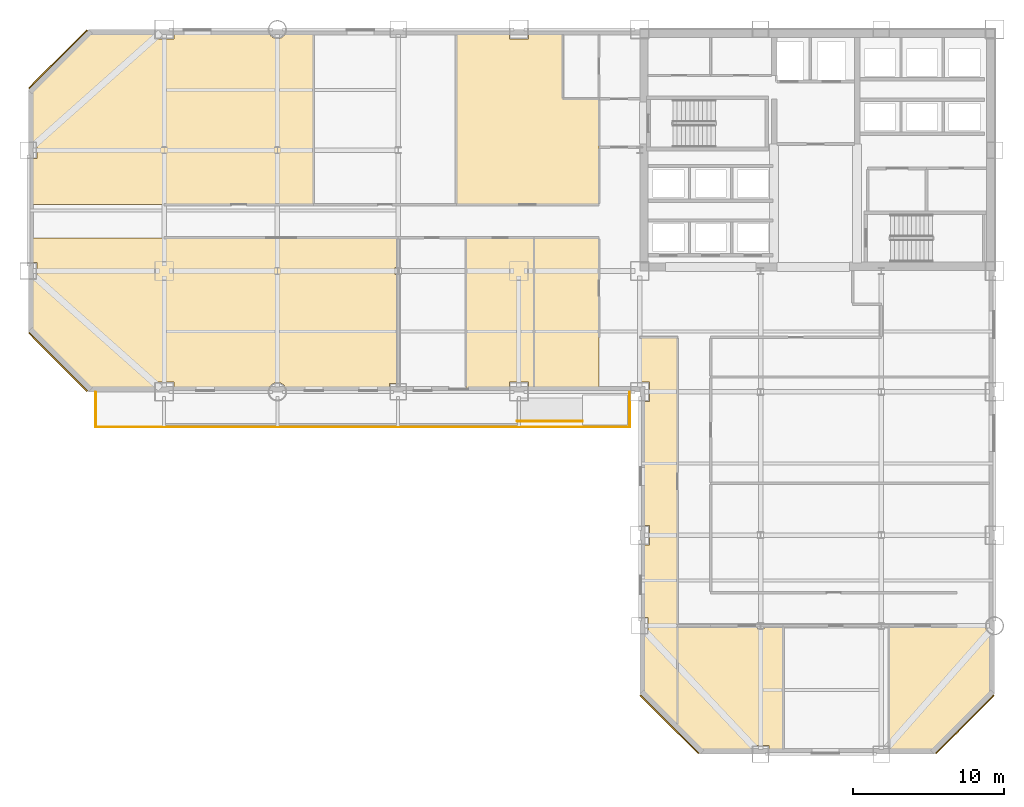
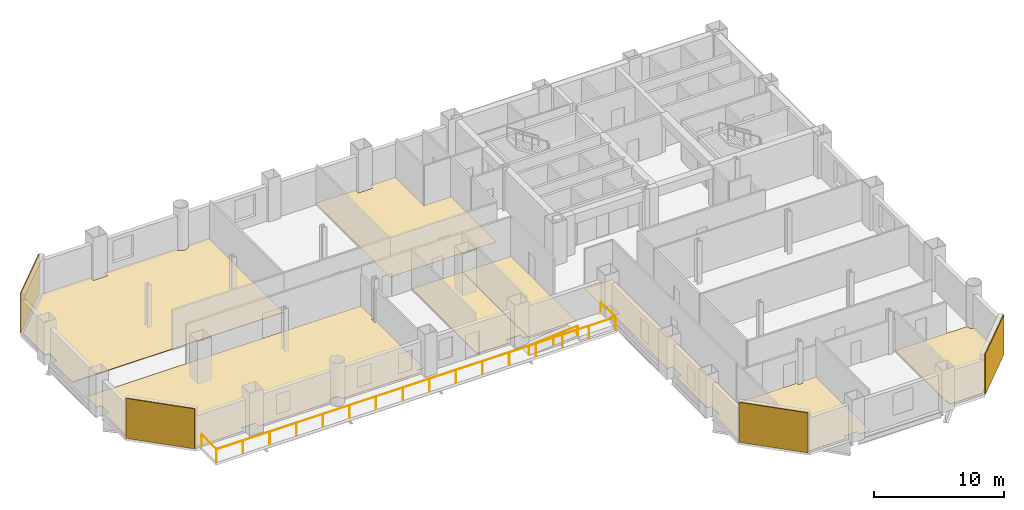
# One storey, part 8 of 9: 12 coverings, 2 railings.
"""IFC4 building model written with IfcOpenShell, lengths in metres."""

from ifc_helpers import new_model, si_unit, direction, frame, origin, origin_2d, place, context, subcontext, project, spatial, polyline, rectangle, circle, outline, extrude, material, layer, layer_set, type_object, element, save


model = new_model("IFC4")

# Units and contexts
model_context = context("Model", 3, precision=1e-05, world=origin(), true_north=direction((0.0, 1.0)))
body_context = subcontext(model_context, "Body", "Model", "MODEL_VIEW")
ifc_project = project(units=[si_unit("LENGTHUNIT", "METRE"), si_unit("AREAUNIT", "SQUARE_METRE"), si_unit("VOLUMEUNIT", "CUBIC_METRE"), si_unit("PLANEANGLEUNIT", "RADIAN"), si_unit("MASSUNIT", "GRAM", prefix="KILO")], contexts=[model_context])

# Site, building, storey
site_placement = place(None, origin())
site = spatial("IfcSite", under=ifc_project, at=site_placement, CompositionType="ELEMENT")
building_placement = place(site_placement, origin())
building = spatial("IfcBuilding", under=site, at=building_placement, Name="Qianrong Seaharbour Tower", CompositionType="ELEMENT")
storey_placement = place(building_placement, frame((0.0, 0.0, 100.199951171875)))
storey = spatial("IfcBuildingStorey", under=building, at=storey_placement, Name="L24", CompositionType="ELEMENT", Elevation=100.199951171875)

# Coverings
ifc_material_1 = material(Name="Unitised red brick cladding on Precast concrete C45/55", Category="masonry")
ifc_layer_1 = layer(ifc_material_1, 0.080078125)
ifc_layer_set_1 = layer_set([ifc_layer_1], Name="Unitised red brick cladding on Precast concrete C45/55")
covering_type_1 = type_object("IfcCoveringType", Name="COV-CLAD-RED-BRICK-80", PredefinedType="CLADDING", material=ifc_layer_set_1)
for number, where, z_axis, x_axis, name in (
    (1, (1.9716796875, 29.9716796875, 0.0), (0.0, 0.0, 1.0), (-0.707106781187, 0.707106781187, 0.0), "L24 Chamfer Corner Brick Cladding 02"),
    (2, (1.9716796875, 50.0283203125, 0.0), (0.0, 0.0, 1.0), (0.707106781187, 0.707106781187, 0.0), "L24 Chamfer Corner Brick Cladding 04"),
    (3, (62.0283203125, 5.9716796875, 0.0), (0.0, 0.0, 1.0), (-0.707106781187, -0.707106781187, 0.0), "L24 Chamfer Corner Brick Cladding 07"),
    (4, (42.4716796875, 5.9716796875, 0.0), (0.0, 0.0, 1.0), (-0.707106781187, 0.707106781187, 0.0), "L24 Chamfer Corner Brick Cladding 09"),
):
    element("IfcCovering", number, at=place(storey_placement, frame(where, z_axis=z_axis, x_axis=x_axis)), inside=storey, type_object=covering_type_1, Name=name, PredefinedType="CLADDING", context=body_context, shape_type="SweptSolid", body=[
        extrude(rectangle(XDim=5.456787109375, YDim=0.080078125, at=origin_2d()), origin(), (0.0, 0.0, 1.0), 3.75),
    ])
ifc_material_2 = material(Name="Acoustic modular carpet tile flooring")
ifc_layer_2 = layer(ifc_material_2, 0.02001953125)
ifc_layer_set_2 = layer_set([ifc_layer_2], Name="Acoustic modular carpet tile flooring")
covering_type_2 = type_object("IfcCoveringType", Name="COV-FLOOR-CARPET-20", PredefinedType="FLOORING", material=ifc_layer_set_2)
covering_1_placement = place(storey_placement, origin())
element("IfcCovering", 5, at=covering_1_placement, inside=storey, type_object=covering_type_2, Name="L24 Boardroom 2 Finish Flooring", PredefinedType="FLOORING", context=body_context, shape_type="SweptSolid", body=[
    extrude(outline(polyline([(28.35009765625, 51.824951171875), (31.864990234375, 51.824951171875), (31.864990234375, 51.364990234375), (33.135009765625, 51.364990234375), (33.135009765625, 51.824951171875), (35.39990234375, 51.824951171875), (35.39990234375, 47.39990234375), (37.800048828125, 47.39990234375), (37.800048828125, 40.39990234375), (28.35009765625, 40.39990234375), (28.35009765625, 51.824951171875)])), origin(), (0.0, 0.0, 1.0), 0.02001953125),
])
covering_2_placement = place(storey_placement, origin())
element("IfcCovering", 6, at=covering_2_placement, inside=storey, type_object=covering_type_2, Name="L24 Maritime Tribunal Hearing Hall Finish Flooring", PredefinedType="FLOORING", context=body_context, shape_type="SweptSolid", body=[
    extrude(outline(polyline([(17.081298828125, 28.175048828125), (17.063720703125, 28.2333984375), (17.007080078125, 28.3388671875), (16.931396484375, 28.431396484375), (16.8388671875, 28.507080078125), (16.7333984375, 28.563720703125), (16.618896484375, 28.598388671875), (16.5, 28.610107421875), (16.381103515625, 28.598388671875), (16.2666015625, 28.563720703125), (16.1611328125, 28.507080078125), (16.068603515625, 28.431396484375), (15.992919921875, 28.3388671875), (15.936279296875, 28.2333984375), (15.918701171875, 28.175048828125), (9.635009765625, 28.175048828125), (9.635009765625, 28.635009765625), (8.364990234375, 28.635009765625), (8.364990234375, 28.175048828125), (4.072509765625, 28.175048828125), (0.175048828125, 32.072509765625), (0.175048828125, 35.43994140625), (0.56005859375, 35.43994140625), (0.56005859375, 36.56005859375), (0.175048828125, 36.56005859375), (0.175048828125, 38.199951171875), (24.5, 38.199951171875), (24.5, 36.22412109375), (24.28662109375, 36.22412109375), (24.28662109375, 35.77587890625), (24.5, 35.77587890625), (24.5, 28.56005859375), (23.93994140625, 28.56005859375), (23.93994140625, 28.175048828125), (17.081298828125, 28.175048828125)])), origin(), (0.0, 0.0, 1.0), 0.02001953125),
])
covering_3_placement = place(storey_placement, origin())
element("IfcCovering", 7, at=covering_3_placement, inside=storey, type_object=covering_type_2, Name="L24 Focus Room 3 Finish Flooring", PredefinedType="FLOORING", context=body_context, shape_type="SweptSolid", body=[
    extrude(outline(polyline([(37.800048828125, 28.175048828125), (33.5, 28.175048828125), (33.5, 38.199951171875), (37.800048828125, 38.199951171875), (37.800048828125, 28.175048828125)])), origin(), (0.0, 0.0, 1.0), 0.02001953125),
])
covering_4_placement = place(storey_placement, origin())
element("IfcCovering", 8, at=covering_4_placement, inside=storey, type_object=covering_type_2, Name="L24 Wet Pantry Finish Flooring", PredefinedType="FLOORING", context=body_context, shape_type="SweptSolid", body=[
    extrude(outline(polyline([(43.0, 5.74755859375), (40.675048828125, 8.072509765625), (40.675048828125, 11.93994140625), (41.06005859375, 11.93994140625), (41.06005859375, 13.06005859375), (40.675048828125, 13.06005859375), (40.675048828125, 17.864990234375), (41.135009765625, 17.864990234375), (41.135009765625, 19.135009765625), (40.675048828125, 19.135009765625), (40.675048828125, 27.364990234375), (41.135009765625, 27.364990234375), (41.135009765625, 28.635009765625), (40.5, 28.635009765625), (40.5, 31.60009765625), (43.0, 31.60009765625), (43.0, 5.74755859375)])), origin(), (0.0, 0.0, 1.0), 0.02001953125),
])
covering_5_placement = place(storey_placement, origin())
element("IfcCovering", 9, at=covering_5_placement, inside=storey, type_object=covering_type_2, Name="L24 Mediation Meeting Room 1 Finish Flooring", PredefinedType="FLOORING", context=body_context, shape_type="SweptSolid", body=[
    extrude(outline(polyline([(50.0, 4.175048828125), (49.06005859375, 4.175048828125), (49.06005859375, 4.56005859375), (47.93994140625, 4.56005859375), (47.93994140625, 4.175048828125), (44.572509765625, 4.175048828125), (43.0, 5.74755859375), (43.0, 12.5), (48.28662109375, 12.5), (48.28662109375, 12.27587890625), (48.71337890625, 12.27587890625), (48.71337890625, 12.5), (50.0, 12.5), (50.0, 4.175048828125)])), origin(), (0.0, 0.0, 1.0), 0.02001953125),
])
ifc_material_3 = material(Name="Calcium-sulphate raised access floor tile")
ifc_layer_3 = layer(ifc_material_3, 0.044921875)
ifc_layer_set_3 = layer_set([ifc_layer_3], Name="Calcium-sulphate raised access floor tile")
covering_type_3 = type_object("IfcCoveringType", Name="COV-FLOOR-RAISED-45", PredefinedType="FLOORING", material=ifc_layer_set_3)
covering_6_placement = place(storey_placement, origin())
element("IfcCovering", 10, at=covering_6_placement, inside=storey, type_object=covering_type_3, Name="L24 Legal Support Open-Plan Office Finish Flooring", PredefinedType="FLOORING", context=body_context, shape_type="SweptSolid", body=[
    extrude(outline(polyline([(0.175048828125, 43.43994140625), (0.56005859375, 43.43994140625), (0.56005859375, 44.56005859375), (0.175048828125, 44.56005859375), (0.175048828125, 47.927490234375), (4.072509765625, 51.824951171875), (8.364990234375, 51.824951171875), (8.364990234375, 51.364990234375), (9.635009765625, 51.364990234375), (9.635009765625, 51.824951171875), (15.918701171875, 51.824951171875), (15.936279296875, 51.7666015625), (15.992919921875, 51.6611328125), (16.068603515625, 51.568603515625), (16.1611328125, 51.492919921875), (16.2666015625, 51.436279296875), (16.381103515625, 51.401611328125), (16.5, 51.389892578125), (16.618896484375, 51.401611328125), (16.7333984375, 51.436279296875), (16.8388671875, 51.492919921875), (16.931396484375, 51.568603515625), (17.007080078125, 51.6611328125), (17.063720703125, 51.7666015625), (17.081298828125, 51.824951171875), (18.89990234375, 51.824951171875), (18.89990234375, 40.39990234375), (0.175048828125, 40.39990234375), (0.175048828125, 43.43994140625)])), origin(), (0.0, 0.0, 1.0), 0.045166015625),
])
covering_7_placement = place(storey_placement, origin())
element("IfcCovering", 11, at=covering_7_placement, inside=storey, type_object=covering_type_3, Name="L24 Partner Chambers Office 2 Finish Flooring", PredefinedType="FLOORING", context=body_context, shape_type="SweptSolid", body=[
    extrude(outline(polyline([(33.5, 28.175048828125), (33.135009765625, 28.175048828125), (33.135009765625, 28.635009765625), (31.864990234375, 28.635009765625), (31.864990234375, 28.175048828125), (29.0, 28.175048828125), (29.0, 38.199951171875), (33.5, 38.199951171875), (33.5, 28.175048828125)])), origin(), (0.0, 0.0, 1.0), 0.045166015625),
])
covering_8_placement = place(storey_placement, origin())
element("IfcCovering", 12, at=covering_8_placement, inside=storey, type_object=covering_type_3, Name="L24 Senior Partner Office 3 Finish Flooring", PredefinedType="FLOORING", context=body_context, shape_type="SweptSolid", body=[
    extrude(outline(polyline([(63.824951171875, 8.072509765625), (59.927490234375, 4.175048828125), (57.06005859375, 4.175048828125), (57.06005859375, 4.56005859375), (57.0, 4.56005859375), (57.0, 12.5), (63.389892578125, 12.5), (63.401611328125, 12.381103515625), (63.436279296875, 12.2666015625), (63.492919921875, 12.1611328125), (63.568603515625, 12.068603515625), (63.6611328125, 11.992919921875), (63.7666015625, 11.936279296875), (63.824951171875, 11.918701171875), (63.824951171875, 8.072509765625)])), origin(), (0.0, 0.0, 1.0), 0.045166015625),
])

# Railings
ifc_material_4 = material(Name="Stainless steel SUS316L tubular handrail", Category="steel")
railing_type_1 = type_object("IfcRailingType", Name="RAIL-RAMP-HANDRAIL-900", PredefinedType="HANDRAIL", material=ifc_material_4)
railing_1_placement = place(storey_placement, frame((32.3798828125, 26.050048828125, 0.0)))
element("IfcRailing", 13, at=railing_1_placement, inside=storey, type_object=railing_type_1, Name="L24 Harbourfront Ribbon Ramp Handrail", PredefinedType="HANDRAIL", context=body_context, shape_type="SweptSolid", body=[
    extrude(circle(Radius=0.02392578125, at=origin_2d()), frame((0.0, 0.0, 0.8759765625), z_axis=(0.996543815979, 0.0, 0.083068783756), x_axis=(0.0, 1.0, 0.0)), (0.0, 0.0, 1.0), 4.3349609375),
    extrude(circle(Radius=0.02099609375, at=origin_2d()), origin(), (0.0, 0.0, 1.0), 0.851806640625),
    extrude(circle(Radius=0.02099609375, at=origin_2d()), frame((2.16015625, 0.0, 0.18017578125)), (0.0, 0.0, 1.0), 0.851806640625),
    extrude(circle(Radius=0.02099609375, at=origin_2d()), frame((4.320068359375, 0.0, 0.360107421875)), (0.0, 0.0, 1.0), 0.851806640625),
])
ifc_material_5 = material(Name="Stainless steel SUS316L and laminated safety glass balustrade", Category="steel")
railing_type_2 = type_object("IfcRailingType", Name="RAIL-TERRACE-GUARD-1220", PredefinedType="GUARDRAIL", material=ifc_material_5)
railing_2_placement = place(storey_placement, frame((4.4599609375, 27.97998046875, 0.0)))
element("IfcRailing", 14, at=railing_2_placement, inside=storey, type_object=railing_type_2, Name="L24 Harbourfront Ribbon Gallery Guardrail", PredefinedType="GUARDRAIL", context=body_context, shape_type="SweptSolid", body=[
    extrude(circle(Radius=0.02392578125, at=origin_2d()), frame((0.0, 0.0, 1.19580078125), z_axis=(0.0, -1.0, 0.0), x_axis=(1.0, 0.0, 0.0)), (0.0, 0.0, 1.0), 2.320068359375),
    extrude(circle(Radius=0.02392578125, at=origin_2d()), frame((0.0, -2.320068359375, 1.19580078125), z_axis=(1.0, 0.0, 0.0), x_axis=(0.0, 1.0, 0.0)), (0.0, 0.0, 1.0), 35.380126953125),
    extrude(circle(Radius=0.02392578125, at=origin_2d()), frame((35.380126953125, -2.320068359375, 1.19580078125), z_axis=(0.0, 1.0, 0.0), x_axis=(-1.0, 0.0, 0.0)), (0.0, 0.0, 1.0), 2.320068359375),
    extrude(circle(Radius=0.02099609375, at=origin_2d()), origin(), (0.0, 0.0, 1.0), 1.171875),
    extrude(circle(Radius=0.02099609375, at=origin_2d()), frame((0.0, -2.320068359375, 0.0)), (0.0, 0.0, 1.0), 1.171875),
    extrude(circle(Radius=0.02099609375, at=origin_2d()), frame((2.358642578125, -2.320068359375, 0.0)), (0.0, 0.0, 1.0), 1.171875),
    extrude(circle(Radius=0.02099609375, at=origin_2d()), frame((4.71728515625, -2.320068359375, 0.0)), (0.0, 0.0, 1.0), 1.171875),
    extrude(circle(Radius=0.02099609375, at=origin_2d()), frame((7.075927734375, -2.320068359375, 0.0)), (0.0, 0.0, 1.0), 1.171875),
    extrude(circle(Radius=0.02099609375, at=origin_2d()), frame((9.434814453125, -2.320068359375, 0.0)), (0.0, 0.0, 1.0), 1.171875),
    extrude(circle(Radius=0.02099609375, at=origin_2d()), frame((11.79345703125, -2.320068359375, 0.0)), (0.0, 0.0, 1.0), 1.171875),
    extrude(circle(Radius=0.02099609375, at=origin_2d()), frame((14.152099609375, -2.320068359375, 0.0)), (0.0, 0.0, 1.0), 1.171875),
    extrude(circle(Radius=0.02099609375, at=origin_2d()), frame((16.5107421875, -2.320068359375, 0.0)), (0.0, 0.0, 1.0), 1.171875),
    extrude(circle(Radius=0.02099609375, at=origin_2d()), frame((18.869384765625, -2.320068359375, 0.0)), (0.0, 0.0, 1.0), 1.171875),
    extrude(circle(Radius=0.02099609375, at=origin_2d()), frame((21.22802734375, -2.320068359375, 0.0)), (0.0, 0.0, 1.0), 1.171875),
    extrude(circle(Radius=0.02099609375, at=origin_2d()), frame((23.586669921875, -2.320068359375, 0.0)), (0.0, 0.0, 1.0), 1.171875),
    extrude(circle(Radius=0.02099609375, at=origin_2d()), frame((25.9453125, -2.320068359375, 0.0)), (0.0, 0.0, 1.0), 1.171875),
    extrude(circle(Radius=0.02099609375, at=origin_2d()), frame((28.30419921875, -2.320068359375, 0.0)), (0.0, 0.0, 1.0), 1.171875),
    extrude(circle(Radius=0.02099609375, at=origin_2d()), frame((30.662841796875, -2.320068359375, 0.0)), (0.0, 0.0, 1.0), 1.171875),
    extrude(circle(Radius=0.02099609375, at=origin_2d()), frame((33.021484375, -2.320068359375, 0.0)), (0.0, 0.0, 1.0), 1.171875),
    extrude(circle(Radius=0.02099609375, at=origin_2d()), frame((35.380126953125, -2.320068359375, 0.0)), (0.0, 0.0, 1.0), 1.171875),
    extrude(circle(Radius=0.02099609375, at=origin_2d()), frame((35.380126953125, 0.0, 0.0)), (0.0, 0.0, 1.0), 1.171875),
])

save(model, "model.ifc")
